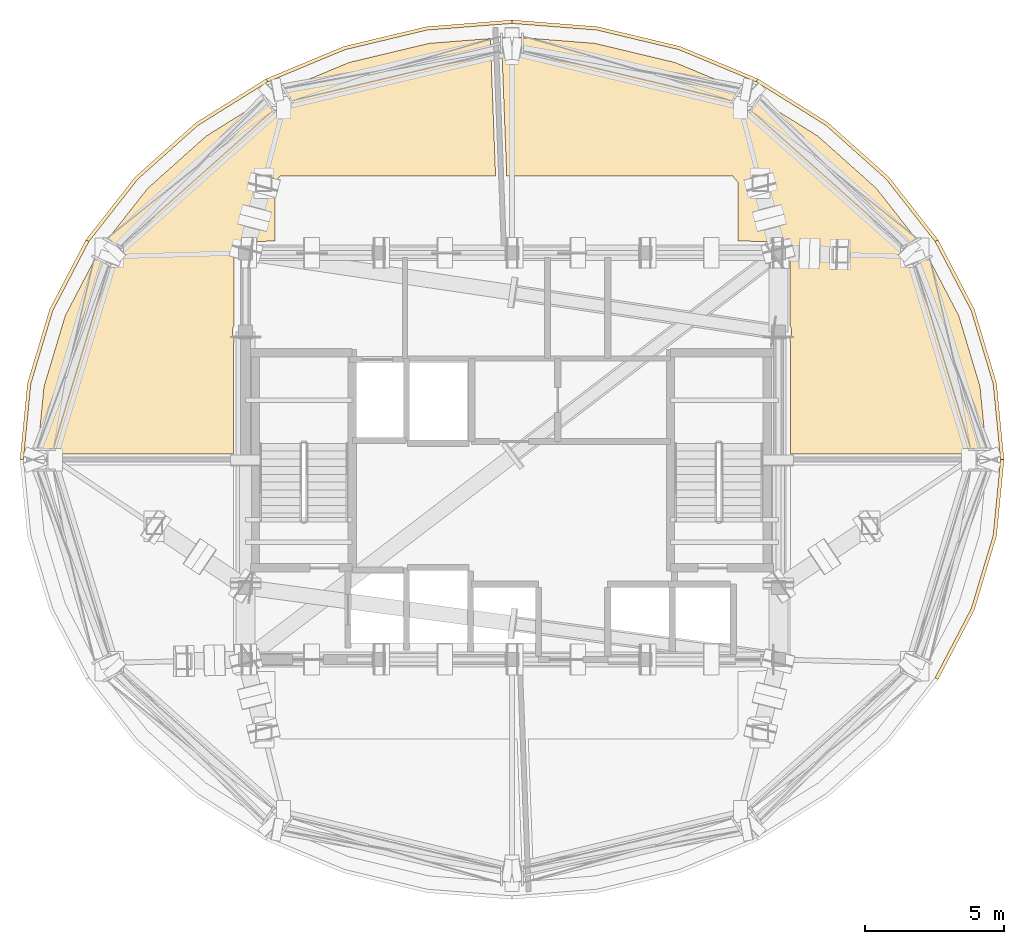
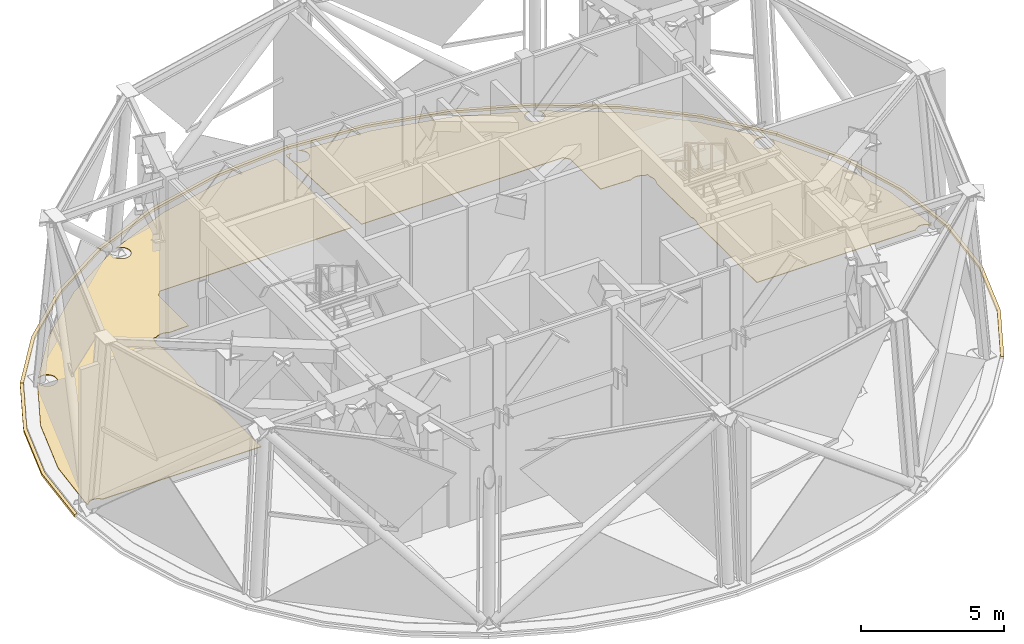
# One storey, part 12 of 12: 9 coverings.
"""IFC4 building model written with IfcOpenShell, lengths in metres."""

from ifc_helpers import new_model, si_unit, direction, frame, origin, place, context, subcontext, project, spatial, polyline, outline, extrude, material, layer, layer_set, type_object, element, save


model = new_model("IFC4")

# Units and contexts
model_context = context("Model", 3, precision=1e-05, world=origin(), true_north=direction((0.0, 1.0)))
body_context = subcontext(model_context, "Body", "Model", "MODEL_VIEW")
ifc_project = project(units=[si_unit("LENGTHUNIT", "METRE"), si_unit("AREAUNIT", "SQUARE_METRE"), si_unit("VOLUMEUNIT", "CUBIC_METRE"), si_unit("PLANEANGLEUNIT", "RADIAN"), si_unit("MASSUNIT", "GRAM", prefix="KILO")], contexts=[model_context])

# Site, building, storey
site_placement = place(None, origin())
site = spatial("IfcSite", under=ifc_project, at=site_placement, CompositionType="ELEMENT")
building_placement = place(site_placement, origin())
building = spatial("IfcBuilding", under=site, at=building_placement, Name="Vantalir Tower", CompositionType="ELEMENT")
storey_placement = place(building_placement, frame((0.0, 0.0, 304.5)))
storey = spatial("IfcBuildingStorey", under=building, at=storey_placement, Name="L76", CompositionType="ELEMENT", Elevation=304.5)

# Coverings
ifc_material_1 = material(Name="Anodised champagne aluminium sill fascia", Category="aluminium")
ifc_layer_1 = layer(ifc_material_1, 0.125)
ifc_layer_set_1 = layer_set([ifc_layer_1], Name="Anodised champagne aluminium sill fascia")
covering_type_1 = type_object("IfcCoveringType", Name="COV-SLAB-FASCIA-125", PredefinedType="CLADDING", material=ifc_layer_set_1)
covering_1_placement = place(storey_placement, frame((0.0, 0.0, -0.179931640625)))
element("IfcCovering", 1, at=covering_1_placement, inside=storey, type_object=covering_type_1, Name="L76 Perimeter Slab-Edge Sill Fascia 01", PredefinedType="CLADDING", context=body_context, shape_type="SweptSolid", body=[
    extrude(outline(polyline([(49.22509765625, 25.0), (48.9560546875, 27.75), (48.156005859375, 30.4169921875), (46.85009765625, 32.9189453125), (46.741943359375, 32.85693359375), (48.0390625, 30.375), (48.8330078125, 27.72900390625), (49.10009765625, 25.0), (49.22509765625, 25.0)])), origin(), (0.0, 0.0, 1.0), 0.10498046875),
])
covering_2_placement = place(storey_placement, frame((0.0, 0.0, -0.179931640625)))
element("IfcCovering", 2, at=covering_2_placement, inside=storey, type_object=covering_type_1, Name="L76 Perimeter Slab-Edge Sill Fascia 02", PredefinedType="CLADDING", context=body_context, shape_type="SweptSolid", body=[
    extrude(outline(polyline([(46.85009765625, 32.9189453125), (45.077880859375, 35.180908203125), (42.89306640625, 37.133056640625), (40.363037109375, 38.717041015625), (40.300048828125, 38.60888671875), (42.81298828125, 37.0380859375), (44.98193359375, 35.10107421875), (46.741943359375, 32.85693359375), (46.85009765625, 32.9189453125)])), origin(), (0.0, 0.0, 1.0), 0.10498046875),
])
covering_3_placement = place(storey_placement, frame((0.0, 0.0, -0.179931640625)))
element("IfcCovering", 3, at=covering_3_placement, inside=storey, type_object=covering_type_1, Name="L76 Perimeter Slab-Edge Sill Fascia 03", PredefinedType="CLADDING", context=body_context, shape_type="SweptSolid", body=[
    extrude(outline(polyline([(40.363037109375, 38.717041015625), (37.56201171875, 39.884033203125), (34.577880859375, 40.597900390625), (31.5, 40.839111328125), (31.5, 40.714111328125), (34.555908203125, 40.47509765625), (37.52001953125, 39.76611328125), (40.300048828125, 38.60888671875), (40.363037109375, 38.717041015625)])), origin(), (0.0, 0.0, 1.0), 0.10498046875),
])
covering_4_placement = place(storey_placement, frame((0.0, 0.0, -0.179931640625)))
element("IfcCovering", 4, at=covering_4_placement, inside=storey, type_object=covering_type_1, Name="L76 Perimeter Slab-Edge Sill Fascia 04", PredefinedType="CLADDING", context=body_context, shape_type="SweptSolid", body=[
    extrude(outline(polyline([(31.5, 40.839111328125), (28.422119140625, 40.597900390625), (25.43798828125, 39.884033203125), (22.637939453125, 38.717041015625), (22.699951171875, 38.60888671875), (25.47998046875, 39.76611328125), (28.444091796875, 40.47509765625), (31.5, 40.714111328125), (31.5, 40.839111328125)])), origin(), (0.0, 0.0, 1.0), 0.10498046875),
])
covering_5_placement = place(storey_placement, frame((0.0, 0.0, -0.179931640625)))
element("IfcCovering", 5, at=covering_5_placement, inside=storey, type_object=covering_type_1, Name="L76 Perimeter Slab-Edge Sill Fascia 05", PredefinedType="CLADDING", context=body_context, shape_type="SweptSolid", body=[
    extrude(outline(polyline([(22.637939453125, 38.717041015625), (20.10693359375, 37.133056640625), (17.922119140625, 35.180908203125), (16.14990234375, 32.9189453125), (16.258056640625, 32.85693359375), (18.01806640625, 35.10107421875), (20.18701171875, 37.0380859375), (22.699951171875, 38.60888671875), (22.637939453125, 38.717041015625)])), origin(), (0.0, 0.0, 1.0), 0.10498046875),
])
covering_6_placement = place(storey_placement, frame((0.0, 0.0, -0.179931640625)))
element("IfcCovering", 6, at=covering_6_placement, inside=storey, type_object=covering_type_1, Name="L76 Perimeter Slab-Edge Sill Fascia 06", PredefinedType="CLADDING", context=body_context, shape_type="SweptSolid", body=[
    extrude(outline(polyline([(16.14990234375, 32.9189453125), (14.843994140625, 30.4169921875), (14.0439453125, 27.75), (13.77490234375, 25.0), (13.89990234375, 25.0), (14.1669921875, 27.72900390625), (14.9609375, 30.375), (16.258056640625, 32.85693359375), (16.14990234375, 32.9189453125)])), origin(), (0.0, 0.0, 1.0), 0.10498046875),
])
covering_7_placement = place(storey_placement, frame((0.0, 0.0, -0.179931640625)))
element("IfcCovering", 7, at=covering_7_placement, inside=storey, type_object=covering_type_1, Name="L76 Perimeter Slab-Edge Sill Fascia 12", PredefinedType="CLADDING", context=body_context, shape_type="SweptSolid", body=[
    extrude(outline(polyline([(46.85009765625, 17.080078125), (48.156005859375, 19.5830078125), (48.9560546875, 22.25), (49.22509765625, 25.0), (49.10009765625, 25.0), (48.8330078125, 22.27099609375), (48.0390625, 19.625), (46.741943359375, 17.14306640625), (46.85009765625, 17.080078125)])), origin(), (0.0, 0.0, 1.0), 0.10498046875),
])
ifc_material_2 = material(Name="Tropical teak timber and terrazzo floor finish", Category="wood")
ifc_layer_2 = layer(ifc_material_2, 0.02490234375)
ifc_layer_set_2 = layer_set([ifc_layer_2], Name="Tropical teak timber and terrazzo floor finish")
covering_type_2 = type_object("IfcCoveringType", Name="COV-TIMBER-STONE-25", PredefinedType="FLOORING", material=ifc_layer_set_2)
covering_8_placement = place(storey_placement, origin())
element("IfcCovering", 8, at=covering_8_placement, inside=storey, type_object=covering_type_2, Name="L76 Crown North-East Chiller Plant Floor Finish", PredefinedType="FLOORING", context=body_context, shape_type="SweptSolid", body=[
    extrude(outline(polyline([(31.117919921875, 40.202880859375), (31.30908203125, 35.215087890625), (39.4580078125, 35.2109375), (39.639892578125, 34.989990234375), (39.639892578125, 32.881103515625), (40.840087890625, 32.846923828125), (40.8759765625, 32.868896484375), (40.91796875, 32.888916015625), (40.9619140625, 32.905029296875), (41.007080078125, 32.916015625), (41.052978515625, 32.923095703125), (41.10009765625, 32.925048828125), (41.14697265625, 32.923095703125), (41.193115234375, 32.916015625), (41.238037109375, 32.905029296875), (41.281982421875, 32.888916015625), (41.323974609375, 32.868896484375), (41.364013671875, 32.844970703125), (41.382080078125, 32.83203125), (41.514892578125, 32.827880859375), (41.51904296875, 32.674072265625), (41.5390625, 32.632080078125), (41.554931640625, 32.587890625), (41.56591796875, 32.54296875), (41.572998046875, 32.4970703125), (41.574951171875, 32.449951171875), (41.572998046875, 32.403076171875), (41.56591796875, 32.35693359375), (41.554931640625, 32.31201171875), (41.5390625, 32.26806640625), (41.51611328125, 32.221923828125), (41.52294921875, 29.81591796875), (41.5390625, 29.781982421875), (41.554931640625, 29.738037109375), (41.56591796875, 29.693115234375), (41.572998046875, 29.64697265625), (41.574951171875, 29.60009765625), (41.572998046875, 29.552978515625), (41.56591796875, 29.507080078125), (41.554931640625, 29.4619140625), (41.5390625, 29.41796875), (41.52392578125, 29.385986328125), (41.534912109375, 25.199951171875), (47.968017578125, 25.199951171875), (47.985107421875, 25.222900390625), (48.008056640625, 25.248046875), (48.032958984375, 25.27099609375), (48.06103515625, 25.2919921875), (48.091064453125, 25.31005859375), (48.1220703125, 25.323974609375), (48.154052734375, 25.3359375), (48.18798828125, 25.343994140625), (48.221923828125, 25.34912109375), (48.256103515625, 25.35107421875), (48.2900390625, 25.34912109375), (48.323974609375, 25.343994140625), (48.35791015625, 25.3359375), (48.389892578125, 25.323974609375), (48.4208984375, 25.31005859375), (48.450927734375, 25.2919921875), (48.47900390625, 25.27099609375), (48.50390625, 25.248046875), (48.527099609375, 25.222900390625), (48.5439453125, 25.199951171875), (48.59912109375, 25.199951171875), (48.360107421875, 27.635986328125), (47.593017578125, 30.193115234375), (46.3369140625, 32.595947265625), (46.322998046875, 32.613037109375), (46.3359375, 32.5849609375), (46.347900390625, 32.552978515625), (46.35595703125, 32.51904296875), (46.361083984375, 32.485107421875), (46.363037109375, 32.450927734375), (46.361083984375, 32.4169921875), (46.35595703125, 32.383056640625), (46.347900390625, 32.34912109375), (46.3359375, 32.31689453125), (46.322021484375, 32.285888671875), (46.303955078125, 32.256103515625), (46.282958984375, 32.22802734375), (46.260009765625, 32.202880859375), (46.235107421875, 32.179931640625), (46.20703125, 32.158935546875), (46.177001953125, 32.14111328125), (46.14599609375, 32.126953125), (46.114013671875, 32.114990234375), (46.080078125, 32.10693359375), (46.0458984375, 32.10205078125), (46.011962890625, 32.10009765625), (45.97802734375, 32.10205078125), (45.944091796875, 32.10693359375), (45.909912109375, 32.114990234375), (45.8779296875, 32.126953125), (45.846923828125, 32.14111328125), (45.81689453125, 32.158935546875), (45.7890625, 32.179931640625), (45.763916015625, 32.202880859375), (45.740966796875, 32.22802734375), (45.719970703125, 32.256103515625), (45.701904296875, 32.285888671875), (45.68798828125, 32.31689453125), (45.676025390625, 32.34912109375), (45.66796875, 32.383056640625), (45.6630859375, 32.4169921875), (45.660888671875, 32.450927734375), (45.6630859375, 32.485107421875), (45.66796875, 32.51904296875), (45.676025390625, 32.552978515625), (45.68798828125, 32.5849609375), (45.701904296875, 32.615966796875), (45.719970703125, 32.64599609375), (45.740966796875, 32.674072265625), (45.763916015625, 32.698974609375), (45.7890625, 32.721923828125), (45.81689453125, 32.742919921875), (45.846923828125, 32.760986328125), (45.8779296875, 32.77490234375), (45.909912109375, 32.787109375), (45.944091796875, 32.794921875), (45.97802734375, 32.800048828125), (46.011962890625, 32.802001953125), (46.0458984375, 32.800048828125), (46.080078125, 32.794921875), (46.114013671875, 32.787109375), (46.14599609375, 32.77490234375), (46.177001953125, 32.760986328125), (46.20703125, 32.742919921875), (46.2451171875, 32.712890625), (44.6298828125, 34.77099609375), (42.52392578125, 36.653076171875), (40.131103515625, 38.14892578125), (40.14892578125, 38.12890625), (40.169921875, 38.10107421875), (40.18798828125, 38.071044921875), (40.201904296875, 38.0400390625), (40.214111328125, 38.008056640625), (40.221923828125, 37.97412109375), (40.22705078125, 37.93994140625), (40.22900390625, 37.906005859375), (40.22705078125, 37.8720703125), (40.221923828125, 37.837890625), (40.214111328125, 37.803955078125), (40.201904296875, 37.77197265625), (40.18798828125, 37.740966796875), (40.169921875, 37.7109375), (40.14892578125, 37.68310546875), (40.1259765625, 37.657958984375), (40.10107421875, 37.635009765625), (40.072998046875, 37.614013671875), (40.04296875, 37.595947265625), (40.011962890625, 37.58203125), (39.97998046875, 37.570068359375), (39.946044921875, 37.56201171875), (39.912109375, 37.556884765625), (39.8779296875, 37.554931640625), (39.843994140625, 37.556884765625), (39.81005859375, 37.56201171875), (39.77587890625, 37.570068359375), (39.743896484375, 37.58203125), (39.712890625, 37.595947265625), (39.68310546875, 37.614013671875), (39.655029296875, 37.635009765625), (39.6298828125, 37.657958984375), (39.60693359375, 37.68310546875), (39.5859375, 37.7109375), (39.568115234375, 37.740966796875), (39.553955078125, 37.77197265625), (39.5419921875, 37.803955078125), (39.533935546875, 37.837890625), (39.529052734375, 37.8720703125), (39.527099609375, 37.906005859375), (39.529052734375, 37.93994140625), (39.533935546875, 37.97412109375), (39.5419921875, 38.008056640625), (39.553955078125, 38.0400390625), (39.568115234375, 38.071044921875), (39.5859375, 38.10107421875), (39.60693359375, 38.12890625), (39.6298828125, 38.154052734375), (39.655029296875, 38.177001953125), (39.68310546875, 38.197998046875), (39.712890625, 38.216064453125), (39.743896484375, 38.22998046875), (39.77587890625, 38.241943359375), (39.81005859375, 38.25), (39.843994140625, 38.2548828125), (39.8779296875, 38.257080078125), (39.89990234375, 38.256103515625), (37.37109375, 39.30810546875), (34.48095703125, 39.9990234375), (31.64501953125, 40.220947265625), (31.6650390625, 40.2119140625), (31.695068359375, 40.194091796875), (31.722900390625, 40.173095703125), (31.748046875, 40.14990234375), (31.77099609375, 40.125), (31.7919921875, 40.096923828125), (31.81005859375, 40.06689453125), (31.823974609375, 40.035888671875), (31.8359375, 40.00390625), (31.843994140625, 39.969970703125), (31.84912109375, 39.93603515625), (31.85107421875, 39.902099609375), (31.84912109375, 39.867919921875), (31.843994140625, 39.833984375), (31.8359375, 39.800048828125), (31.823974609375, 39.76806640625), (31.81005859375, 39.737060546875), (31.7919921875, 39.70703125), (31.77099609375, 39.678955078125), (31.748046875, 39.654052734375), (31.722900390625, 39.631103515625), (31.695068359375, 39.610107421875), (31.6650390625, 39.592041015625), (31.634033203125, 39.577880859375), (31.60205078125, 39.56591796875), (31.568115234375, 39.55810546875), (31.533935546875, 39.552978515625), (31.5, 39.551025390625), (31.466064453125, 39.552978515625), (31.431884765625, 39.55810546875), (31.39794921875, 39.56591796875), (31.365966796875, 39.577880859375), (31.3349609375, 39.592041015625), (31.304931640625, 39.610107421875), (31.277099609375, 39.631103515625), (31.251953125, 39.654052734375), (31.22900390625, 39.678955078125), (31.2080078125, 39.70703125), (31.18994140625, 39.737060546875), (31.176025390625, 39.76806640625), (31.1640625, 39.800048828125), (31.156005859375, 39.833984375), (31.15087890625, 39.867919921875), (31.14892578125, 39.902099609375), (31.15087890625, 39.93603515625), (31.156005859375, 39.969970703125), (31.1640625, 40.00390625), (31.176025390625, 40.035888671875), (31.18994140625, 40.06689453125), (31.2080078125, 40.096923828125), (31.22900390625, 40.125), (31.251953125, 40.14990234375), (31.277099609375, 40.173095703125), (31.304931640625, 40.194091796875), (31.3349609375, 40.2119140625), (31.35498046875, 40.220947265625), (31.117919921875, 40.202880859375)])), origin(), (0.0, 0.0, 1.0), 0.02490234375),
])
covering_9_placement = place(storey_placement, origin())
element("IfcCovering", 9, at=covering_9_placement, inside=storey, type_object=covering_type_2, Name="L76 Tuned Mass Damper Plant Chamber Floor Finish", PredefinedType="FLOORING", context=body_context, shape_type="SweptSolid", body=[
    extrude(outline(polyline([(14.40087890625, 25.199951171875), (14.4560546875, 25.199951171875), (14.472900390625, 25.222900390625), (14.49609375, 25.248046875), (14.52099609375, 25.27099609375), (14.549072265625, 25.2919921875), (14.5791015625, 25.31005859375), (14.610107421875, 25.323974609375), (14.64208984375, 25.3359375), (14.676025390625, 25.343994140625), (14.7099609375, 25.34912109375), (14.743896484375, 25.35107421875), (14.778076171875, 25.34912109375), (14.81201171875, 25.343994140625), (14.845947265625, 25.3359375), (14.8779296875, 25.323974609375), (14.908935546875, 25.31005859375), (14.93896484375, 25.2919921875), (14.967041015625, 25.27099609375), (14.991943359375, 25.248046875), (15.014892578125, 25.222900390625), (15.031982421875, 25.199951171875), (21.465087890625, 25.199951171875), (21.47607421875, 29.385986328125), (21.4609375, 29.41796875), (21.445068359375, 29.4619140625), (21.43408203125, 29.507080078125), (21.427001953125, 29.552978515625), (21.425048828125, 29.60009765625), (21.427001953125, 29.64697265625), (21.43408203125, 29.693115234375), (21.445068359375, 29.738037109375), (21.4609375, 29.781982421875), (21.47705078125, 29.81591796875), (21.48095703125, 32.22607421875), (21.4609375, 32.26806640625), (21.445068359375, 32.31201171875), (21.43408203125, 32.35693359375), (21.427001953125, 32.403076171875), (21.425048828125, 32.449951171875), (21.427001953125, 32.4970703125), (21.43408203125, 32.54296875), (21.445068359375, 32.587890625), (21.4609375, 32.632080078125), (21.485107421875, 32.679931640625), (21.485107421875, 32.826904296875), (21.617919921875, 32.83203125), (21.635986328125, 32.844970703125), (21.676025390625, 32.868896484375), (21.718017578125, 32.888916015625), (21.761962890625, 32.905029296875), (21.806884765625, 32.916015625), (21.85302734375, 32.923095703125), (21.89990234375, 32.925048828125), (21.947021484375, 32.923095703125), (21.992919921875, 32.916015625), (22.0380859375, 32.905029296875), (22.08203125, 32.888916015625), (22.1240234375, 32.868896484375), (22.154052734375, 32.85107421875), (22.9599609375, 32.8798828125), (22.9599609375, 34.989013671875), (23.136962890625, 35.2099609375), (30.908935546875, 35.215087890625), (30.719970703125, 40.1708984375), (28.51904296875, 39.9990234375), (25.62890625, 39.30810546875), (23.10009765625, 38.256103515625), (23.1220703125, 38.257080078125), (23.156005859375, 38.2548828125), (23.18994140625, 38.25), (23.22412109375, 38.241943359375), (23.256103515625, 38.22998046875), (23.287109375, 38.216064453125), (23.31689453125, 38.197998046875), (23.344970703125, 38.177001953125), (23.3701171875, 38.154052734375), (23.39306640625, 38.12890625), (23.4140625, 38.10107421875), (23.431884765625, 38.071044921875), (23.446044921875, 38.0400390625), (23.4580078125, 38.008056640625), (23.466064453125, 37.97412109375), (23.470947265625, 37.93994140625), (23.472900390625, 37.906005859375), (23.470947265625, 37.8720703125), (23.466064453125, 37.837890625), (23.4580078125, 37.803955078125), (23.446044921875, 37.77197265625), (23.431884765625, 37.740966796875), (23.4140625, 37.7109375), (23.39306640625, 37.68310546875), (23.3701171875, 37.657958984375), (23.344970703125, 37.635009765625), (23.31689453125, 37.614013671875), (23.287109375, 37.595947265625), (23.256103515625, 37.58203125), (23.22412109375, 37.570068359375), (23.18994140625, 37.56201171875), (23.156005859375, 37.556884765625), (23.1220703125, 37.554931640625), (23.087890625, 37.556884765625), (23.053955078125, 37.56201171875), (23.02001953125, 37.570068359375), (22.988037109375, 37.58203125), (22.95703125, 37.595947265625), (22.927001953125, 37.614013671875), (22.89892578125, 37.635009765625), (22.8740234375, 37.657958984375), (22.85107421875, 37.68310546875), (22.830078125, 37.7109375), (22.81201171875, 37.740966796875), (22.798095703125, 37.77197265625), (22.785888671875, 37.803955078125), (22.778076171875, 37.837890625), (22.77294921875, 37.8720703125), (22.77099609375, 37.906005859375), (22.77294921875, 37.93994140625), (22.778076171875, 37.97412109375), (22.785888671875, 38.008056640625), (22.798095703125, 38.0400390625), (22.81201171875, 38.071044921875), (22.830078125, 38.10107421875), (22.85107421875, 38.12890625), (22.868896484375, 38.14892578125), (20.47607421875, 36.653076171875), (18.3701171875, 34.77099609375), (16.7529296875, 32.7099609375), (16.76611328125, 32.721923828125), (16.7939453125, 32.742919921875), (16.823974609375, 32.760986328125), (16.85498046875, 32.77490234375), (16.886962890625, 32.787109375), (16.9208984375, 32.794921875), (16.955078125, 32.800048828125), (16.989013671875, 32.802001953125), (17.02294921875, 32.800048828125), (17.056884765625, 32.794921875), (17.091064453125, 32.787109375), (17.123046875, 32.77490234375), (17.154052734375, 32.760986328125), (17.18408203125, 32.742919921875), (17.2119140625, 32.721923828125), (17.237060546875, 32.698974609375), (17.260009765625, 32.674072265625), (17.281005859375, 32.64599609375), (17.299072265625, 32.615966796875), (17.31298828125, 32.5849609375), (17.324951171875, 32.552978515625), (17.3330078125, 32.51904296875), (17.337890625, 32.485107421875), (17.340087890625, 32.450927734375), (17.337890625, 32.4169921875), (17.3330078125, 32.383056640625), (17.324951171875, 32.34912109375), (17.31298828125, 32.31689453125), (17.299072265625, 32.285888671875), (17.281005859375, 32.256103515625), (17.260009765625, 32.22802734375), (17.237060546875, 32.202880859375), (17.2119140625, 32.179931640625), (17.18408203125, 32.158935546875), (17.154052734375, 32.14111328125), (17.123046875, 32.126953125), (17.091064453125, 32.114990234375), (17.056884765625, 32.10693359375), (17.02294921875, 32.10205078125), (16.989013671875, 32.10009765625), (16.955078125, 32.10205078125), (16.9208984375, 32.10693359375), (16.886962890625, 32.114990234375), (16.85498046875, 32.126953125), (16.823974609375, 32.14111328125), (16.7939453125, 32.158935546875), (16.76611328125, 32.179931640625), (16.740966796875, 32.202880859375), (16.718017578125, 32.22802734375), (16.697021484375, 32.256103515625), (16.678955078125, 32.285888671875), (16.6650390625, 32.31689453125), (16.653076171875, 32.34912109375), (16.64501953125, 32.383056640625), (16.639892578125, 32.4169921875), (16.637939453125, 32.450927734375), (16.639892578125, 32.485107421875), (16.64501953125, 32.51904296875), (16.653076171875, 32.552978515625), (16.6650390625, 32.5849609375), (16.679931640625, 32.616943359375), (16.6630859375, 32.595947265625), (15.406982421875, 30.193115234375), (14.639892578125, 27.635986328125), (14.40087890625, 25.199951171875)])), origin(), (0.0, 0.0, 1.0), 0.02490234375),
])

save(model, "model.ifc")
